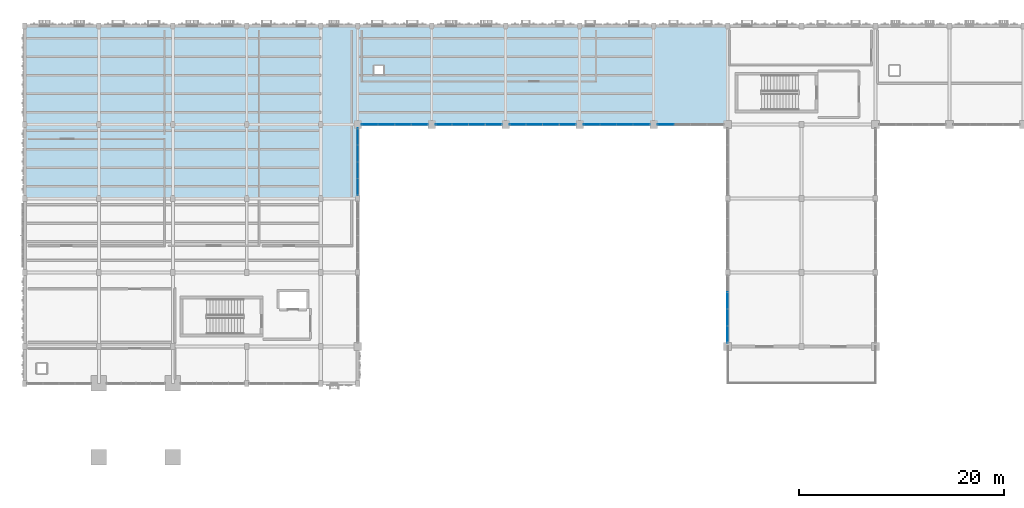
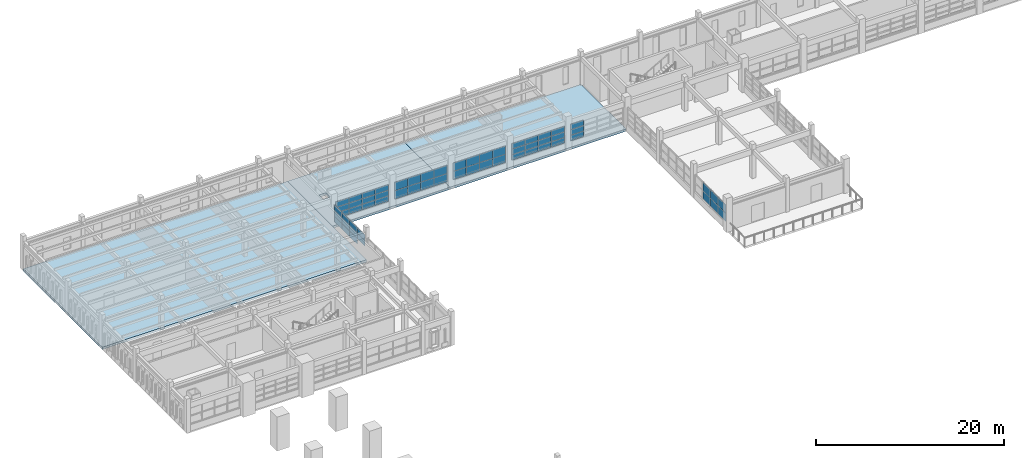
# One storey, part 37 of 69: 60 plates, 3 slabs, 7 elements without a shape of their own.
"""IFC4 building model written with IfcOpenShell, lengths in metres."""

from ifc_helpers import new_model, si_unit, direction, frame, origin, origin_2d, place, context, subcontext, project, spatial, polyline, rectangle, outline, extrude, material, layer, layer_set, type_object, element, aggregate, save


model = new_model("IFC4")

# Units and contexts
model_context = context("Model", 3, precision=1e-05, world=origin(), true_north=direction((0.0, 1.0)))
body_context = subcontext(model_context, "Body", "Model", "MODEL_VIEW")
ifc_project = project(units=[si_unit("LENGTHUNIT", "METRE"), si_unit("AREAUNIT", "SQUARE_METRE"), si_unit("VOLUMEUNIT", "CUBIC_METRE"), si_unit("PLANEANGLEUNIT", "RADIAN"), si_unit("MASSUNIT", "GRAM", prefix="KILO")], contexts=[model_context])

# Site, building, storey
site_placement = place(None, origin())
site = spatial("IfcSite", under=ifc_project, at=site_placement, CompositionType="ELEMENT")
building_placement = place(site_placement, origin())
building = spatial("IfcBuilding", under=site, at=building_placement, Name="Nzembalo Square Collegiate School", CompositionType="ELEMENT")
storey_placement = place(building_placement, frame((0.0, 0.0, 5.10009765625)))
storey = spatial("IfcBuildingStorey", under=building, at=storey_placement, Name="L01", CompositionType="ELEMENT", Elevation=5.10009765625)

# Curtain wall, plates
ifc_material_1 = material(Name="Aluminium 6060-T66", Category="aluminium")
curtain_wall_type_1 = type_object("IfcCurtainWallType", Name="CW-01", PredefinedType="USERDEFINED", material=ifc_material_1)
curtain_wall_1_placement = place(storey_placement, origin())
curtain_wall_1 = element("IfcCurtainWall", 1, at=curtain_wall_1_placement, inside=storey, type_object=curtain_wall_type_1, Name="Curtain wall CW-01 cw:L01:088", ObjectType="UNITISED", PredefinedType="USERDEFINED")
ifc_material_2 = material(Name="Laminated solar-control double glazing", Category="glass")
ifc_layer_1 = layer(ifc_material_2, 0.028076171875, Name="Laminated solar-control double glazing")
ifc_layer_set_1 = layer_set([ifc_layer_1], Name="Laminated solar-control double glazing")
plate_type_1 = type_object("IfcPlateType", Name="PN01", PredefinedType="CURTAIN_PANEL", material=ifc_layer_set_1)
plate_1_placement = place(storey_placement, frame((63.582763671875, 104.39990234375, 0.85400390625), z_axis=(0.0, 0.0, 1.0), x_axis=(1.0, 0.0, 0.0)))
plate_1 = element("IfcPlate", 2, at=plate_1_placement, type_object=plate_type_1, Name="PN01 glazed panel 1-1", PredefinedType="CURTAIN_PANEL", context=body_context, shape_type="SweptSolid", body=[
    extrude(rectangle(XDim=1.603515625, YDim=0.028076171875, at=origin_2d()), origin(), (0.0, 0.0, 1.0), 0.716552734375),
])
plate_2_placement = place(storey_placement, frame((65.1943359375, 104.39990234375, 0.85400390625), z_axis=(0.0, 0.0, 1.0), x_axis=(1.0, 0.0, 0.0)))
plate_2 = element("IfcPlate", 3, at=plate_2_placement, type_object=plate_type_1, Name="PN01 glazed panel 1-2", PredefinedType="CURTAIN_PANEL", context=body_context, shape_type="SweptSolid", body=[
    extrude(rectangle(XDim=1.603515625, YDim=0.028076171875, at=origin_2d()), origin(), (0.0, 0.0, 1.0), 0.716552734375),
])
plate_3_placement = place(storey_placement, frame((66.8056640625, 104.39990234375, 0.85400390625), z_axis=(0.0, 0.0, 1.0), x_axis=(1.0, 0.0, 0.0)))
plate_3 = element("IfcPlate", 4, at=plate_3_placement, type_object=plate_type_1, Name="PN01 glazed panel 1-3", PredefinedType="CURTAIN_PANEL", context=body_context, shape_type="SweptSolid", body=[
    extrude(rectangle(XDim=1.603515625, YDim=0.028076171875, at=origin_2d()), origin(), (0.0, 0.0, 1.0), 0.716552734375),
])
plate_4_placement = place(storey_placement, frame((68.417236328125, 104.39990234375, 0.85400390625), z_axis=(0.0, 0.0, 1.0), x_axis=(1.0, 0.0, 0.0)))
plate_4 = element("IfcPlate", 5, at=plate_4_placement, type_object=plate_type_1, Name="PN01 glazed panel 1-4", PredefinedType="CURTAIN_PANEL", context=body_context, shape_type="SweptSolid", body=[
    extrude(rectangle(XDim=1.603515625, YDim=0.028076171875, at=origin_2d()), origin(), (0.0, 0.0, 1.0), 0.716552734375),
])
plate_5_placement = place(storey_placement, frame((63.582763671875, 104.39990234375, 1.57861328125), z_axis=(0.0, 0.0, 1.0), x_axis=(1.0, 0.0, 0.0)))
plate_5 = element("IfcPlate", 6, at=plate_5_placement, type_object=plate_type_1, Name="PN01 glazed panel 2-1", PredefinedType="CURTAIN_PANEL", context=body_context, shape_type="SweptSolid", body=[
    extrude(rectangle(XDim=1.603515625, YDim=0.028076171875, at=origin_2d()), origin(), (0.0, 0.0, 1.0), 0.716552734375),
])
plate_6_placement = place(storey_placement, frame((65.1943359375, 104.39990234375, 1.57861328125), z_axis=(0.0, 0.0, 1.0), x_axis=(1.0, 0.0, 0.0)))
plate_6 = element("IfcPlate", 7, at=plate_6_placement, type_object=plate_type_1, Name="PN01 glazed panel 2-2", PredefinedType="CURTAIN_PANEL", context=body_context, shape_type="SweptSolid", body=[
    extrude(rectangle(XDim=1.603515625, YDim=0.028076171875, at=origin_2d()), origin(), (0.0, 0.0, 1.0), 0.716552734375),
])
plate_7_placement = place(storey_placement, frame((66.8056640625, 104.39990234375, 1.57861328125), z_axis=(0.0, 0.0, 1.0), x_axis=(1.0, 0.0, 0.0)))
plate_7 = element("IfcPlate", 8, at=plate_7_placement, type_object=plate_type_1, Name="PN01 glazed panel 2-3", PredefinedType="CURTAIN_PANEL", context=body_context, shape_type="SweptSolid", body=[
    extrude(rectangle(XDim=1.603515625, YDim=0.028076171875, at=origin_2d()), origin(), (0.0, 0.0, 1.0), 0.716552734375),
])
plate_8_placement = place(storey_placement, frame((68.417236328125, 104.39990234375, 1.57861328125), z_axis=(0.0, 0.0, 1.0), x_axis=(1.0, 0.0, 0.0)))
plate_8 = element("IfcPlate", 9, at=plate_8_placement, type_object=plate_type_1, Name="PN01 glazed panel 2-4", PredefinedType="CURTAIN_PANEL", context=body_context, shape_type="SweptSolid", body=[
    extrude(rectangle(XDim=1.603515625, YDim=0.028076171875, at=origin_2d()), origin(), (0.0, 0.0, 1.0), 0.716552734375),
])
plate_9_placement = place(storey_placement, frame((63.582763671875, 104.39990234375, 2.30322265625), z_axis=(0.0, 0.0, 1.0), x_axis=(1.0, 0.0, 0.0)))
plate_9 = element("IfcPlate", 10, at=plate_9_placement, type_object=plate_type_1, Name="PN01 glazed panel 3-1", PredefinedType="CURTAIN_PANEL", context=body_context, shape_type="SweptSolid", body=[
    extrude(rectangle(XDim=1.603515625, YDim=0.028076171875, at=origin_2d()), origin(), (0.0, 0.0, 1.0), 0.716552734375),
])
plate_10_placement = place(storey_placement, frame((65.1943359375, 104.39990234375, 2.30322265625), z_axis=(0.0, 0.0, 1.0), x_axis=(1.0, 0.0, 0.0)))
plate_10 = element("IfcPlate", 11, at=plate_10_placement, type_object=plate_type_1, Name="PN01 glazed panel 3-2", PredefinedType="CURTAIN_PANEL", context=body_context, shape_type="SweptSolid", body=[
    extrude(rectangle(XDim=1.603515625, YDim=0.028076171875, at=origin_2d()), origin(), (0.0, 0.0, 1.0), 0.716552734375),
])
plate_11_placement = place(storey_placement, frame((66.8056640625, 104.39990234375, 2.30322265625), z_axis=(0.0, 0.0, 1.0), x_axis=(1.0, 0.0, 0.0)))
plate_11 = element("IfcPlate", 12, at=plate_11_placement, type_object=plate_type_1, Name="PN01 glazed panel 3-3", PredefinedType="CURTAIN_PANEL", context=body_context, shape_type="SweptSolid", body=[
    extrude(rectangle(XDim=1.603515625, YDim=0.028076171875, at=origin_2d()), origin(), (0.0, 0.0, 1.0), 0.716552734375),
])
plate_12_placement = place(storey_placement, frame((68.417236328125, 104.39990234375, 2.30322265625), z_axis=(0.0, 0.0, 1.0), x_axis=(1.0, 0.0, 0.0)))
plate_12 = element("IfcPlate", 13, at=plate_12_placement, type_object=plate_type_1, Name="PN01 glazed panel 3-4", PredefinedType="CURTAIN_PANEL", context=body_context, shape_type="SweptSolid", body=[
    extrude(rectangle(XDim=1.603515625, YDim=0.028076171875, at=origin_2d()), origin(), (0.0, 0.0, 1.0), 0.716552734375),
])
aggregate(curtain_wall_1, [plate_1, plate_2, plate_3, plate_4, plate_5, plate_6, plate_7, plate_8, plate_9, plate_10, plate_11, plate_12])

ifc_material_3 = material(Name="Aluminium 6060-T66", Category="aluminium")
curtain_wall_type_2 = type_object("IfcCurtainWallType", Name="CW-02", PredefinedType="USERDEFINED", material=ifc_material_3)
curtain_wall_2_placement = place(storey_placement, origin())
curtain_wall_2 = element("IfcCurtainWall", 14, at=curtain_wall_2_placement, inside=storey, type_object=curtain_wall_type_2, Name="Curtain wall CW-02 cw:L01:089", ObjectType="UNITISED", PredefinedType="USERDEFINED")
plate_13_placement = place(storey_placement, frame((70.78271484375, 104.39990234375, 0.85400390625), z_axis=(0.0, 0.0, 1.0), x_axis=(1.0, 0.0, 0.0)))
plate_13 = element("IfcPlate", 15, at=plate_13_placement, type_object=plate_type_1, Name="PN01 glazed panel 1-1", PredefinedType="CURTAIN_PANEL", context=body_context, shape_type="SweptSolid", body=[
    extrude(rectangle(XDim=1.603515625, YDim=0.028076171875, at=origin_2d()), origin(), (0.0, 0.0, 1.0), 0.716552734375),
])
plate_14_placement = place(storey_placement, frame((70.78271484375, 104.39990234375, 1.57861328125), z_axis=(0.0, 0.0, 1.0), x_axis=(1.0, 0.0, 0.0)))
plate_14 = element("IfcPlate", 16, at=plate_14_placement, type_object=plate_type_1, Name="PN01 glazed panel 2-1", PredefinedType="CURTAIN_PANEL", context=body_context, shape_type="SweptSolid", body=[
    extrude(rectangle(XDim=1.603515625, YDim=0.028076171875, at=origin_2d()), origin(), (0.0, 0.0, 1.0), 0.716552734375),
])
plate_15_placement = place(storey_placement, frame((70.78271484375, 104.39990234375, 2.30322265625), z_axis=(0.0, 0.0, 1.0), x_axis=(1.0, 0.0, 0.0)))
plate_15 = element("IfcPlate", 17, at=plate_15_placement, type_object=plate_type_1, Name="PN01 glazed panel 3-1", PredefinedType="CURTAIN_PANEL", context=body_context, shape_type="SweptSolid", body=[
    extrude(rectangle(XDim=1.603515625, YDim=0.028076171875, at=origin_2d()), origin(), (0.0, 0.0, 1.0), 0.716552734375),
])
aggregate(curtain_wall_2, [plate_13, plate_14, plate_15])

ifc_material_4 = material(Name="Aluminium 6060-T66", Category="aluminium")
curtain_wall_type_3 = type_object("IfcCurtainWallType", Name="CW-05", PredefinedType="USERDEFINED", material=ifc_material_4)
curtain_wall_3_placement = place(storey_placement, origin())
curtain_wall_3 = element("IfcCurtainWall", 18, at=curtain_wall_3_placement, inside=storey, type_object=curtain_wall_type_3, Name="Curtain wall CW-05 cw:L01:092", ObjectType="LANCET", PredefinedType="USERDEFINED")
plate_16_placement = place(storey_placement, frame((40.800048828125, 99.947265625, 0.85400390625), z_axis=(0.0, 0.0, 1.0), x_axis=(0.0, 1.0, 0.0)))
plate_16 = element("IfcPlate", 19, at=plate_16_placement, type_object=plate_type_1, Name="PN01 glazed panel 1-2", PredefinedType="CURTAIN_PANEL", context=body_context, shape_type="SweptSolid", body=[
    extrude(rectangle(XDim=1.622314453125, YDim=0.028076171875, at=origin_2d()), origin(), (0.0, 0.0, 1.0), 0.716552734375),
])
plate_17_placement = place(storey_placement, frame((40.800048828125, 101.57763671875, 0.85400390625), z_axis=(0.0, 0.0, 1.0), x_axis=(0.0, 1.0, 0.0)))
plate_17 = element("IfcPlate", 20, at=plate_17_placement, type_object=plate_type_1, Name="PN01 glazed panel 1-3", PredefinedType="CURTAIN_PANEL", context=body_context, shape_type="SweptSolid", body=[
    extrude(rectangle(XDim=1.622314453125, YDim=0.028076171875, at=origin_2d()), origin(), (0.0, 0.0, 1.0), 0.716552734375),
])
plate_18_placement = place(storey_placement, frame((40.800048828125, 103.207763671875, 0.85400390625), z_axis=(0.0, 0.0, 1.0), x_axis=(0.0, 1.0, 0.0)))
plate_18 = element("IfcPlate", 21, at=plate_18_placement, type_object=plate_type_1, Name="PN01 glazed panel 1-4", PredefinedType="CURTAIN_PANEL", context=body_context, shape_type="SweptSolid", body=[
    extrude(rectangle(XDim=1.622314453125, YDim=0.028076171875, at=origin_2d()), origin(), (0.0, 0.0, 1.0), 0.716552734375),
])
plate_19_placement = place(storey_placement, frame((40.800048828125, 98.317138671875, 1.57861328125), z_axis=(0.0, 0.0, 1.0), x_axis=(0.0, 1.0, 0.0)))
plate_19 = element("IfcPlate", 22, at=plate_19_placement, type_object=plate_type_1, Name="PN01 glazed panel 2-1", PredefinedType="CURTAIN_PANEL", context=body_context, shape_type="SweptSolid", body=[
    extrude(rectangle(XDim=1.622314453125, YDim=0.028076171875, at=origin_2d()), origin(), (0.0, 0.0, 1.0), 0.716552734375),
])
plate_20_placement = place(storey_placement, frame((40.800048828125, 99.947265625, 1.57861328125), z_axis=(0.0, 0.0, 1.0), x_axis=(0.0, 1.0, 0.0)))
plate_20 = element("IfcPlate", 23, at=plate_20_placement, type_object=plate_type_1, Name="PN01 glazed panel 2-2", PredefinedType="CURTAIN_PANEL", context=body_context, shape_type="SweptSolid", body=[
    extrude(rectangle(XDim=1.622314453125, YDim=0.028076171875, at=origin_2d()), origin(), (0.0, 0.0, 1.0), 0.716552734375),
])
plate_21_placement = place(storey_placement, frame((40.800048828125, 101.57763671875, 1.57861328125), z_axis=(0.0, 0.0, 1.0), x_axis=(0.0, 1.0, 0.0)))
plate_21 = element("IfcPlate", 24, at=plate_21_placement, type_object=plate_type_1, Name="PN01 glazed panel 2-3", PredefinedType="CURTAIN_PANEL", context=body_context, shape_type="SweptSolid", body=[
    extrude(rectangle(XDim=1.622314453125, YDim=0.028076171875, at=origin_2d()), origin(), (0.0, 0.0, 1.0), 0.716552734375),
])
plate_22_placement = place(storey_placement, frame((40.800048828125, 103.207763671875, 1.57861328125), z_axis=(0.0, 0.0, 1.0), x_axis=(0.0, 1.0, 0.0)))
plate_22 = element("IfcPlate", 25, at=plate_22_placement, type_object=plate_type_1, Name="PN01 glazed panel 2-4", PredefinedType="CURTAIN_PANEL", context=body_context, shape_type="SweptSolid", body=[
    extrude(rectangle(XDim=1.622314453125, YDim=0.028076171875, at=origin_2d()), origin(), (0.0, 0.0, 1.0), 0.716552734375),
])
plate_23_placement = place(storey_placement, frame((40.800048828125, 98.317138671875, 2.30322265625), z_axis=(0.0, 0.0, 1.0), x_axis=(0.0, 1.0, 0.0)))
plate_23 = element("IfcPlate", 26, at=plate_23_placement, type_object=plate_type_1, Name="PN01 glazed panel 3-1", PredefinedType="CURTAIN_PANEL", context=body_context, shape_type="SweptSolid", body=[
    extrude(rectangle(XDim=1.622314453125, YDim=0.028076171875, at=origin_2d()), origin(), (0.0, 0.0, 1.0), 0.716552734375),
])
plate_24_placement = place(storey_placement, frame((40.800048828125, 99.947265625, 2.30322265625), z_axis=(0.0, 0.0, 1.0), x_axis=(0.0, 1.0, 0.0)))
plate_24 = element("IfcPlate", 27, at=plate_24_placement, type_object=plate_type_1, Name="PN01 glazed panel 3-2", PredefinedType="CURTAIN_PANEL", context=body_context, shape_type="SweptSolid", body=[
    extrude(rectangle(XDim=1.622314453125, YDim=0.028076171875, at=origin_2d()), origin(), (0.0, 0.0, 1.0), 0.716552734375),
])
plate_25_placement = place(storey_placement, frame((40.800048828125, 101.57763671875, 2.30322265625), z_axis=(0.0, 0.0, 1.0), x_axis=(0.0, 1.0, 0.0)))
plate_25 = element("IfcPlate", 28, at=plate_25_placement, type_object=plate_type_1, Name="PN01 glazed panel 3-3", PredefinedType="CURTAIN_PANEL", context=body_context, shape_type="SweptSolid", body=[
    extrude(rectangle(XDim=1.622314453125, YDim=0.028076171875, at=origin_2d()), origin(), (0.0, 0.0, 1.0), 0.716552734375),
])
plate_26_placement = place(storey_placement, frame((40.800048828125, 103.207763671875, 2.30322265625), z_axis=(0.0, 0.0, 1.0), x_axis=(0.0, 1.0, 0.0)))
plate_26 = element("IfcPlate", 29, at=plate_26_placement, type_object=plate_type_1, Name="PN01 glazed panel 3-4", PredefinedType="CURTAIN_PANEL", context=body_context, shape_type="SweptSolid", body=[
    extrude(rectangle(XDim=1.622314453125, YDim=0.028076171875, at=origin_2d()), origin(), (0.0, 0.0, 1.0), 0.716552734375),
])
aggregate(curtain_wall_3, [plate_16, plate_17, plate_18, plate_19, plate_20, plate_21, plate_22, plate_23, plate_24, plate_25, plate_26])

ifc_material_5 = material(Name="Aluminium 6060-T66", Category="aluminium")
curtain_wall_type_4 = type_object("IfcCurtainWallType", Name="CW-03", PredefinedType="USERDEFINED", material=ifc_material_5)
curtain_wall_4_placement = place(storey_placement, origin())
curtain_wall_4 = element("IfcCurtainWall", 30, at=curtain_wall_4_placement, inside=storey, type_object=curtain_wall_type_4, Name="Curtain wall CW-03 cw:L01:082", ObjectType="UNITISED", PredefinedType="USERDEFINED")
ifc_material_6 = material(Name="Acoustic laminated solar-control glazing", Category="glass")
ifc_layer_2 = layer(ifc_material_6, 0.031982421875, Name="Acoustic laminated solar-control glazing")
ifc_layer_set_2 = layer_set([ifc_layer_2], Name="Acoustic laminated solar-control glazing")
plate_type_2 = type_object("IfcPlateType", Name="PN02", PredefinedType="CURTAIN_PANEL", material=ifc_layer_set_2)
plate_27_placement = place(storey_placement, frame((76.800048828125, 83.9921875, 0.853759765625), z_axis=(0.0, 0.0, 1.0), x_axis=(0.0, 1.0, 0.0)))
plate_27 = element("IfcPlate", 31, at=plate_27_placement, type_object=plate_type_2, Name="PN02 glazed panel 1-1", PredefinedType="CURTAIN_PANEL", context=body_context, shape_type="SweptSolid", body=[
    extrude(rectangle(XDim=1.622314453125, YDim=0.031982421875, at=origin_2d()), origin(), (0.0, 0.0, 1.0), 1.0791015625),
])
plate_28_placement = place(storey_placement, frame((76.800048828125, 85.622314453125, 0.853759765625), z_axis=(0.0, 0.0, 1.0), x_axis=(0.0, 1.0, 0.0)))
plate_28 = element("IfcPlate", 32, at=plate_28_placement, type_object=plate_type_2, Name="PN02 glazed panel 1-2", PredefinedType="CURTAIN_PANEL", context=body_context, shape_type="SweptSolid", body=[
    extrude(rectangle(XDim=1.622314453125, YDim=0.031982421875, at=origin_2d()), origin(), (0.0, 0.0, 1.0), 1.0791015625),
])
plate_29_placement = place(storey_placement, frame((76.800048828125, 87.252685546875, 0.853759765625), z_axis=(0.0, 0.0, 1.0), x_axis=(0.0, 1.0, 0.0)))
plate_29 = element("IfcPlate", 33, at=plate_29_placement, type_object=plate_type_2, Name="PN02 glazed panel 1-3", PredefinedType="CURTAIN_PANEL", context=body_context, shape_type="SweptSolid", body=[
    extrude(rectangle(XDim=1.622314453125, YDim=0.031982421875, at=origin_2d()), origin(), (0.0, 0.0, 1.0), 1.0791015625),
])
plate_30_placement = place(storey_placement, frame((76.800048828125, 83.9921875, 1.94091796875), z_axis=(0.0, 0.0, 1.0), x_axis=(0.0, 1.0, 0.0)))
plate_30 = element("IfcPlate", 34, at=plate_30_placement, type_object=plate_type_2, Name="PN02 glazed panel 2-1", PredefinedType="CURTAIN_PANEL", context=body_context, shape_type="SweptSolid", body=[
    extrude(rectangle(XDim=1.622314453125, YDim=0.031982421875, at=origin_2d()), origin(), (0.0, 0.0, 1.0), 1.0791015625),
])
plate_31_placement = place(storey_placement, frame((76.800048828125, 85.622314453125, 1.94091796875), z_axis=(0.0, 0.0, 1.0), x_axis=(0.0, 1.0, 0.0)))
plate_31 = element("IfcPlate", 35, at=plate_31_placement, type_object=plate_type_2, Name="PN02 glazed panel 2-2", PredefinedType="CURTAIN_PANEL", context=body_context, shape_type="SweptSolid", body=[
    extrude(rectangle(XDim=1.622314453125, YDim=0.031982421875, at=origin_2d()), origin(), (0.0, 0.0, 1.0), 1.0791015625),
])
plate_32_placement = place(storey_placement, frame((76.800048828125, 87.252685546875, 1.94091796875), z_axis=(0.0, 0.0, 1.0), x_axis=(0.0, 1.0, 0.0)))
plate_32 = element("IfcPlate", 36, at=plate_32_placement, type_object=plate_type_2, Name="PN02 glazed panel 2-3", PredefinedType="CURTAIN_PANEL", context=body_context, shape_type="SweptSolid", body=[
    extrude(rectangle(XDim=1.622314453125, YDim=0.031982421875, at=origin_2d()), origin(), (0.0, 0.0, 1.0), 1.0791015625),
])
aggregate(curtain_wall_4, [plate_27, plate_28, plate_29, plate_30, plate_31, plate_32])

ifc_material_7 = material(Name="Aluminium 6060-T66", Category="aluminium")
curtain_wall_type_5 = type_object("IfcCurtainWallType", Name="CW-06", PredefinedType="USERDEFINED", material=ifc_material_7)
curtain_wall_5_placement = place(storey_placement, origin())
curtain_wall_5 = element("IfcCurtainWall", 37, at=curtain_wall_5_placement, inside=storey, type_object=curtain_wall_type_5, Name="Curtain wall CW-06 cw:L01:085", ObjectType="LANCET", PredefinedType="USERDEFINED")
plate_33_placement = place(storey_placement, frame((41.982666015625, 104.39990234375, 0.85400390625), z_axis=(0.0, 0.0, 1.0), x_axis=(1.0, 0.0, 0.0)))
plate_33 = element("IfcPlate", 38, at=plate_33_placement, type_object=plate_type_2, Name="PN02 glazed panel 1-1", PredefinedType="CURTAIN_PANEL", context=body_context, shape_type="SweptSolid", body=[
    extrude(rectangle(XDim=1.603515625, YDim=0.031982421875, at=origin_2d()), origin(), (0.0, 0.0, 1.0), 0.716552734375),
])
plate_34_placement = place(storey_placement, frame((43.59423828125, 104.39990234375, 0.85400390625), z_axis=(0.0, 0.0, 1.0), x_axis=(1.0, 0.0, 0.0)))
plate_34 = element("IfcPlate", 39, at=plate_34_placement, type_object=plate_type_2, Name="PN02 glazed panel 1-2", PredefinedType="CURTAIN_PANEL", context=body_context, shape_type="SweptSolid", body=[
    extrude(rectangle(XDim=1.603515625, YDim=0.031982421875, at=origin_2d()), origin(), (0.0, 0.0, 1.0), 0.716552734375),
])
plate_35_placement = place(storey_placement, frame((45.205810546875, 104.39990234375, 0.85400390625), z_axis=(0.0, 0.0, 1.0), x_axis=(1.0, 0.0, 0.0)))
plate_35 = element("IfcPlate", 40, at=plate_35_placement, type_object=plate_type_2, Name="PN02 glazed panel 1-3", PredefinedType="CURTAIN_PANEL", context=body_context, shape_type="SweptSolid", body=[
    extrude(rectangle(XDim=1.603515625, YDim=0.031982421875, at=origin_2d()), origin(), (0.0, 0.0, 1.0), 0.716552734375),
])
plate_36_placement = place(storey_placement, frame((46.817138671875, 104.39990234375, 0.85400390625), z_axis=(0.0, 0.0, 1.0), x_axis=(1.0, 0.0, 0.0)))
plate_36 = element("IfcPlate", 41, at=plate_36_placement, type_object=plate_type_2, Name="PN02 glazed panel 1-4", PredefinedType="CURTAIN_PANEL", context=body_context, shape_type="SweptSolid", body=[
    extrude(rectangle(XDim=1.603515625, YDim=0.031982421875, at=origin_2d()), origin(), (0.0, 0.0, 1.0), 0.716552734375),
])
plate_37_placement = place(storey_placement, frame((41.982666015625, 104.39990234375, 1.57861328125), z_axis=(0.0, 0.0, 1.0), x_axis=(1.0, 0.0, 0.0)))
plate_37 = element("IfcPlate", 42, at=plate_37_placement, type_object=plate_type_2, Name="PN02 glazed panel 2-1", PredefinedType="CURTAIN_PANEL", context=body_context, shape_type="SweptSolid", body=[
    extrude(rectangle(XDim=1.603515625, YDim=0.031982421875, at=origin_2d()), origin(), (0.0, 0.0, 1.0), 0.716552734375),
])
plate_38_placement = place(storey_placement, frame((43.59423828125, 104.39990234375, 1.57861328125), z_axis=(0.0, 0.0, 1.0), x_axis=(1.0, 0.0, 0.0)))
plate_38 = element("IfcPlate", 43, at=plate_38_placement, type_object=plate_type_2, Name="PN02 glazed panel 2-2", PredefinedType="CURTAIN_PANEL", context=body_context, shape_type="SweptSolid", body=[
    extrude(rectangle(XDim=1.603515625, YDim=0.031982421875, at=origin_2d()), origin(), (0.0, 0.0, 1.0), 0.716552734375),
])
plate_39_placement = place(storey_placement, frame((45.205810546875, 104.39990234375, 1.57861328125), z_axis=(0.0, 0.0, 1.0), x_axis=(1.0, 0.0, 0.0)))
plate_39 = element("IfcPlate", 44, at=plate_39_placement, type_object=plate_type_2, Name="PN02 glazed panel 2-3", PredefinedType="CURTAIN_PANEL", context=body_context, shape_type="SweptSolid", body=[
    extrude(rectangle(XDim=1.603515625, YDim=0.031982421875, at=origin_2d()), origin(), (0.0, 0.0, 1.0), 0.716552734375),
])
plate_40_placement = place(storey_placement, frame((46.817138671875, 104.39990234375, 1.57861328125), z_axis=(0.0, 0.0, 1.0), x_axis=(1.0, 0.0, 0.0)))
plate_40 = element("IfcPlate", 45, at=plate_40_placement, type_object=plate_type_2, Name="PN02 glazed panel 2-4", PredefinedType="CURTAIN_PANEL", context=body_context, shape_type="SweptSolid", body=[
    extrude(rectangle(XDim=1.603515625, YDim=0.031982421875, at=origin_2d()), origin(), (0.0, 0.0, 1.0), 0.716552734375),
])
plate_41_placement = place(storey_placement, frame((41.982666015625, 104.39990234375, 2.30322265625), z_axis=(0.0, 0.0, 1.0), x_axis=(1.0, 0.0, 0.0)))
plate_41 = element("IfcPlate", 46, at=plate_41_placement, type_object=plate_type_2, Name="PN02 glazed panel 3-1", PredefinedType="CURTAIN_PANEL", context=body_context, shape_type="SweptSolid", body=[
    extrude(rectangle(XDim=1.603515625, YDim=0.031982421875, at=origin_2d()), origin(), (0.0, 0.0, 1.0), 0.716552734375),
])
plate_42_placement = place(storey_placement, frame((43.59423828125, 104.39990234375, 2.30322265625), z_axis=(0.0, 0.0, 1.0), x_axis=(1.0, 0.0, 0.0)))
plate_42 = element("IfcPlate", 47, at=plate_42_placement, type_object=plate_type_2, Name="PN02 glazed panel 3-2", PredefinedType="CURTAIN_PANEL", context=body_context, shape_type="SweptSolid", body=[
    extrude(rectangle(XDim=1.603515625, YDim=0.031982421875, at=origin_2d()), origin(), (0.0, 0.0, 1.0), 0.716552734375),
])
plate_43_placement = place(storey_placement, frame((45.205810546875, 104.39990234375, 2.30322265625), z_axis=(0.0, 0.0, 1.0), x_axis=(1.0, 0.0, 0.0)))
plate_43 = element("IfcPlate", 48, at=plate_43_placement, type_object=plate_type_2, Name="PN02 glazed panel 3-3", PredefinedType="CURTAIN_PANEL", context=body_context, shape_type="SweptSolid", body=[
    extrude(rectangle(XDim=1.603515625, YDim=0.031982421875, at=origin_2d()), origin(), (0.0, 0.0, 1.0), 0.716552734375),
])
plate_44_placement = place(storey_placement, frame((46.817138671875, 104.39990234375, 2.30322265625), z_axis=(0.0, 0.0, 1.0), x_axis=(1.0, 0.0, 0.0)))
plate_44 = element("IfcPlate", 49, at=plate_44_placement, type_object=plate_type_2, Name="PN02 glazed panel 3-4", PredefinedType="CURTAIN_PANEL", context=body_context, shape_type="SweptSolid", body=[
    extrude(rectangle(XDim=1.603515625, YDim=0.031982421875, at=origin_2d()), origin(), (0.0, 0.0, 1.0), 0.716552734375),
])
aggregate(curtain_wall_5, [plate_33, plate_34, plate_35, plate_36, plate_37, plate_38, plate_39, plate_40, plate_41, plate_42, plate_43, plate_44])

ifc_material_8 = material(Name="Aluminium 6060-T66", Category="aluminium")
curtain_wall_type_6 = type_object("IfcCurtainWallType", Name="CW-07", PredefinedType="USERDEFINED", material=ifc_material_8)
curtain_wall_6_placement = place(storey_placement, origin())
curtain_wall_6 = element("IfcCurtainWall", 50, at=curtain_wall_6_placement, inside=storey, type_object=curtain_wall_type_6, Name="Curtain wall CW-07 cw:L01:086", ObjectType="LANCET", PredefinedType="USERDEFINED")
plate_45_placement = place(storey_placement, frame((49.182861328125, 104.39990234375, 0.853759765625), z_axis=(0.0, 0.0, 1.0), x_axis=(1.0, 0.0, 0.0)))
plate_45 = element("IfcPlate", 51, at=plate_45_placement, type_object=plate_type_2, Name="PN02 glazed panel 1-1", PredefinedType="CURTAIN_PANEL", context=body_context, shape_type="SweptSolid", body=[
    extrude(rectangle(XDim=1.603515625, YDim=0.031982421875, at=origin_2d()), origin(), (0.0, 0.0, 1.0), 1.0791015625),
])
plate_46_placement = place(storey_placement, frame((50.794189453125, 104.39990234375, 0.853759765625), z_axis=(0.0, 0.0, 1.0), x_axis=(1.0, 0.0, 0.0)))
plate_46 = element("IfcPlate", 52, at=plate_46_placement, type_object=plate_type_2, Name="PN02 glazed panel 1-2", PredefinedType="CURTAIN_PANEL", context=body_context, shape_type="SweptSolid", body=[
    extrude(rectangle(XDim=1.603515625, YDim=0.031982421875, at=origin_2d()), origin(), (0.0, 0.0, 1.0), 1.0791015625),
])
plate_47_placement = place(storey_placement, frame((52.40576171875, 104.39990234375, 0.853759765625), z_axis=(0.0, 0.0, 1.0), x_axis=(1.0, 0.0, 0.0)))
plate_47 = element("IfcPlate", 53, at=plate_47_placement, type_object=plate_type_2, Name="PN02 glazed panel 1-3", PredefinedType="CURTAIN_PANEL", context=body_context, shape_type="SweptSolid", body=[
    extrude(rectangle(XDim=1.603515625, YDim=0.031982421875, at=origin_2d()), origin(), (0.0, 0.0, 1.0), 1.0791015625),
])
plate_48_placement = place(storey_placement, frame((54.017333984375, 104.39990234375, 0.853759765625), z_axis=(0.0, 0.0, 1.0), x_axis=(1.0, 0.0, 0.0)))
plate_48 = element("IfcPlate", 54, at=plate_48_placement, type_object=plate_type_2, Name="PN02 glazed panel 1-4", PredefinedType="CURTAIN_PANEL", context=body_context, shape_type="SweptSolid", body=[
    extrude(rectangle(XDim=1.603515625, YDim=0.031982421875, at=origin_2d()), origin(), (0.0, 0.0, 1.0), 1.0791015625),
])
plate_49_placement = place(storey_placement, frame((49.182861328125, 104.39990234375, 1.94091796875), z_axis=(0.0, 0.0, 1.0), x_axis=(1.0, 0.0, 0.0)))
plate_49 = element("IfcPlate", 55, at=plate_49_placement, type_object=plate_type_2, Name="PN02 glazed panel 2-1", PredefinedType="CURTAIN_PANEL", context=body_context, shape_type="SweptSolid", body=[
    extrude(rectangle(XDim=1.603515625, YDim=0.031982421875, at=origin_2d()), origin(), (0.0, 0.0, 1.0), 1.0791015625),
])
plate_50_placement = place(storey_placement, frame((50.794189453125, 104.39990234375, 1.94091796875), z_axis=(0.0, 0.0, 1.0), x_axis=(1.0, 0.0, 0.0)))
plate_50 = element("IfcPlate", 56, at=plate_50_placement, type_object=plate_type_2, Name="PN02 glazed panel 2-2", PredefinedType="CURTAIN_PANEL", context=body_context, shape_type="SweptSolid", body=[
    extrude(rectangle(XDim=1.603515625, YDim=0.031982421875, at=origin_2d()), origin(), (0.0, 0.0, 1.0), 1.0791015625),
])
plate_51_placement = place(storey_placement, frame((52.40576171875, 104.39990234375, 1.94091796875), z_axis=(0.0, 0.0, 1.0), x_axis=(1.0, 0.0, 0.0)))
plate_51 = element("IfcPlate", 57, at=plate_51_placement, type_object=plate_type_2, Name="PN02 glazed panel 2-3", PredefinedType="CURTAIN_PANEL", context=body_context, shape_type="SweptSolid", body=[
    extrude(rectangle(XDim=1.603515625, YDim=0.031982421875, at=origin_2d()), origin(), (0.0, 0.0, 1.0), 1.0791015625),
])
plate_52_placement = place(storey_placement, frame((54.017333984375, 104.39990234375, 1.94091796875), z_axis=(0.0, 0.0, 1.0), x_axis=(1.0, 0.0, 0.0)))
plate_52 = element("IfcPlate", 58, at=plate_52_placement, type_object=plate_type_2, Name="PN02 glazed panel 2-4", PredefinedType="CURTAIN_PANEL", context=body_context, shape_type="SweptSolid", body=[
    extrude(rectangle(XDim=1.603515625, YDim=0.031982421875, at=origin_2d()), origin(), (0.0, 0.0, 1.0), 1.0791015625),
])
aggregate(curtain_wall_6, [plate_45, plate_46, plate_47, plate_48, plate_49, plate_50, plate_51, plate_52])

ifc_material_9 = material(Name="Aluminium 6060-T66", Category="aluminium")
curtain_wall_type_7 = type_object("IfcCurtainWallType", Name="CW-08", PredefinedType="USERDEFINED", material=ifc_material_9)
curtain_wall_7_placement = place(storey_placement, origin())
curtain_wall_7 = element("IfcCurtainWall", 59, at=curtain_wall_7_placement, inside=storey, type_object=curtain_wall_type_7, Name="Curtain wall CW-08 cw:L01:087", ObjectType="LANCET", PredefinedType="USERDEFINED")
plate_53_placement = place(storey_placement, frame((56.3828125, 104.39990234375, 0.853759765625), z_axis=(0.0, 0.0, 1.0), x_axis=(1.0, 0.0, 0.0)))
plate_53 = element("IfcPlate", 60, at=plate_53_placement, type_object=plate_type_2, Name="PN02 glazed panel 1-1", PredefinedType="CURTAIN_PANEL", context=body_context, shape_type="SweptSolid", body=[
    extrude(rectangle(XDim=1.603515625, YDim=0.031982421875, at=origin_2d()), origin(), (0.0, 0.0, 1.0), 1.0791015625),
])
plate_54_placement = place(storey_placement, frame((57.994140625, 104.39990234375, 0.853759765625), z_axis=(0.0, 0.0, 1.0), x_axis=(1.0, 0.0, 0.0)))
plate_54 = element("IfcPlate", 61, at=plate_54_placement, type_object=plate_type_2, Name="PN02 glazed panel 1-2", PredefinedType="CURTAIN_PANEL", context=body_context, shape_type="SweptSolid", body=[
    extrude(rectangle(XDim=1.603515625, YDim=0.031982421875, at=origin_2d()), origin(), (0.0, 0.0, 1.0), 1.0791015625),
])
plate_55_placement = place(storey_placement, frame((59.605712890625, 104.39990234375, 0.853759765625), z_axis=(0.0, 0.0, 1.0), x_axis=(1.0, 0.0, 0.0)))
plate_55 = element("IfcPlate", 62, at=plate_55_placement, type_object=plate_type_2, Name="PN02 glazed panel 1-3", PredefinedType="CURTAIN_PANEL", context=body_context, shape_type="SweptSolid", body=[
    extrude(rectangle(XDim=1.603515625, YDim=0.031982421875, at=origin_2d()), origin(), (0.0, 0.0, 1.0), 1.0791015625),
])
plate_56_placement = place(storey_placement, frame((61.21728515625, 104.39990234375, 0.853759765625), z_axis=(0.0, 0.0, 1.0), x_axis=(1.0, 0.0, 0.0)))
plate_56 = element("IfcPlate", 63, at=plate_56_placement, type_object=plate_type_2, Name="PN02 glazed panel 1-4", PredefinedType="CURTAIN_PANEL", context=body_context, shape_type="SweptSolid", body=[
    extrude(rectangle(XDim=1.603515625, YDim=0.031982421875, at=origin_2d()), origin(), (0.0, 0.0, 1.0), 1.0791015625),
])
plate_57_placement = place(storey_placement, frame((56.3828125, 104.39990234375, 1.94091796875), z_axis=(0.0, 0.0, 1.0), x_axis=(1.0, 0.0, 0.0)))
plate_57 = element("IfcPlate", 64, at=plate_57_placement, type_object=plate_type_2, Name="PN02 glazed panel 2-1", PredefinedType="CURTAIN_PANEL", context=body_context, shape_type="SweptSolid", body=[
    extrude(rectangle(XDim=1.603515625, YDim=0.031982421875, at=origin_2d()), origin(), (0.0, 0.0, 1.0), 1.0791015625),
])
plate_58_placement = place(storey_placement, frame((57.994140625, 104.39990234375, 1.94091796875), z_axis=(0.0, 0.0, 1.0), x_axis=(1.0, 0.0, 0.0)))
plate_58 = element("IfcPlate", 65, at=plate_58_placement, type_object=plate_type_2, Name="PN02 glazed panel 2-2", PredefinedType="CURTAIN_PANEL", context=body_context, shape_type="SweptSolid", body=[
    extrude(rectangle(XDim=1.603515625, YDim=0.031982421875, at=origin_2d()), origin(), (0.0, 0.0, 1.0), 1.0791015625),
])
plate_59_placement = place(storey_placement, frame((59.605712890625, 104.39990234375, 1.94091796875), z_axis=(0.0, 0.0, 1.0), x_axis=(1.0, 0.0, 0.0)))
plate_59 = element("IfcPlate", 66, at=plate_59_placement, type_object=plate_type_2, Name="PN02 glazed panel 2-3", PredefinedType="CURTAIN_PANEL", context=body_context, shape_type="SweptSolid", body=[
    extrude(rectangle(XDim=1.603515625, YDim=0.031982421875, at=origin_2d()), origin(), (0.0, 0.0, 1.0), 1.0791015625),
])
plate_60_placement = place(storey_placement, frame((61.21728515625, 104.39990234375, 1.94091796875), z_axis=(0.0, 0.0, 1.0), x_axis=(1.0, 0.0, 0.0)))
plate_60 = element("IfcPlate", 67, at=plate_60_placement, type_object=plate_type_2, Name="PN02 glazed panel 2-4", PredefinedType="CURTAIN_PANEL", context=body_context, shape_type="SweptSolid", body=[
    extrude(rectangle(XDim=1.603515625, YDim=0.031982421875, at=origin_2d()), origin(), (0.0, 0.0, 1.0), 1.0791015625),
])
aggregate(curtain_wall_7, [plate_53, plate_54, plate_55, plate_56, plate_57, plate_58, plate_59, plate_60])

# Slabs
ifc_material_10 = material(Name="Concrete C35/45", Category="concrete")
ifc_layer_3 = layer(ifc_material_10, 0.284912109375, Name="Concrete C35/45")
ifc_layer_set_3 = layer_set([ifc_layer_3], Name="Concrete C35/45")
slab_type = type_object("IfcSlabType", Name="SL-01", PredefinedType="FLOOR", material=ifc_layer_set_3)
slab_1_placement = place(storey_placement, frame((0.0, 0.0, -0.28515625)))
element("IfcSlab", 68, at=slab_1_placement, inside=storey, type_object=slab_type, Name="Slab SL-L01-39", PredefinedType="FLOOR", context=body_context, shape_type="SweptSolid", body=[
    extrude(outline(polyline([(8.39990234375, 97.199951171875), (40.800048828125, 97.199951171875), (40.800048828125, 114.0), (8.39990234375, 114.0), (8.39990234375, 97.199951171875)])), origin(), (0.0, 0.0, 1.0), 0.28515625),
])
slab_2_placement = place(storey_placement, frame((0.0, 0.0, -0.28515625)))
element("IfcSlab", 69, at=slab_2_placement, inside=storey, type_object=slab_type, Name="Slab SL-L01-40", PredefinedType="FLOOR", context=body_context, shape_type="SweptSolid", body=[
    extrude(outline(polyline([(40.800048828125, 104.39990234375), (55.199951171875, 104.39990234375), (55.199951171875, 114.0), (40.800048828125, 114.0), (40.800048828125, 104.39990234375)]), holes=[polyline([(42.39990234375, 109.199951171875), (43.300048828125, 109.199951171875), (43.300048828125, 110.10009765625), (42.39990234375, 110.10009765625), (42.39990234375, 109.199951171875)])]), origin(), (0.0, 0.0, 1.0), 0.28515625),
])
slab_3_placement = place(storey_placement, frame((0.0, 0.0, -0.28515625)))
element("IfcSlab", 70, at=slab_3_placement, inside=storey, type_object=slab_type, Name="Slab SL-L01-41", PredefinedType="FLOOR", context=body_context, shape_type="SweptSolid", body=[
    extrude(outline(polyline([(55.199951171875, 104.39990234375), (76.800048828125, 104.39990234375), (76.800048828125, 114.0), (55.199951171875, 114.0), (55.199951171875, 104.39990234375)])), origin(), (0.0, 0.0, 1.0), 0.28515625),
])

save(model, "model.ifc")
